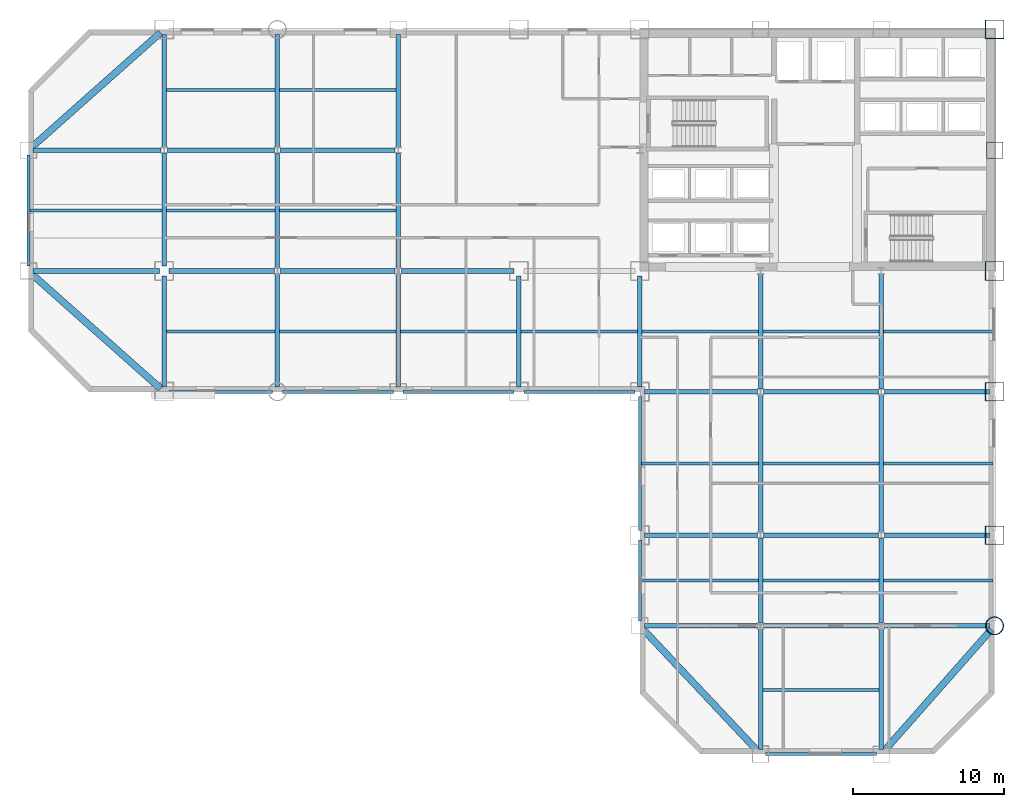
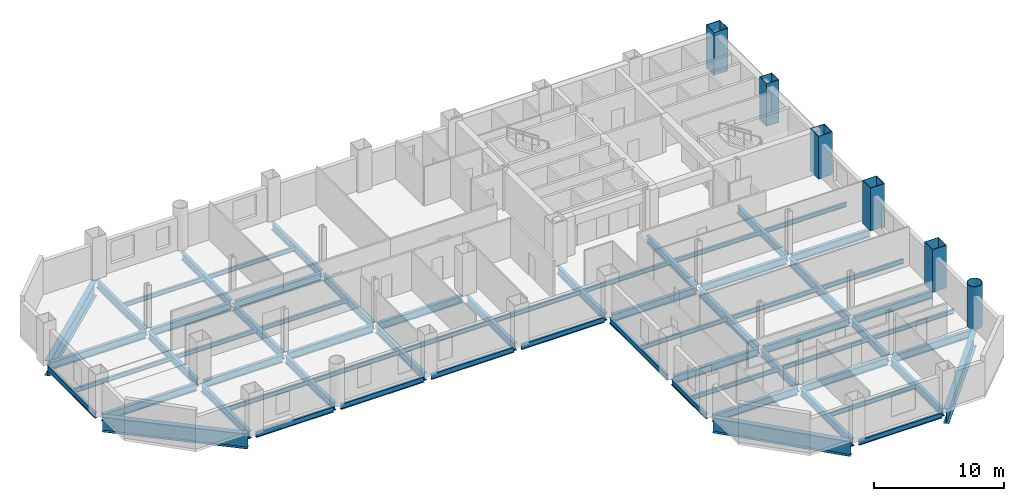
# One storey, part 3 of 9: 66 beams, 6 columns.
"""IFC4 building model written with IfcOpenShell, lengths in metres."""

from ifc_helpers import new_model, si_unit, direction, frame, origin, origin_2d, place, context, subcontext, project, spatial, hollow_rectangle, hollow_circle, i_section, extrude, material, material_profile, profile_set, type_object, element, save


model = new_model("IFC4")

# Units and contexts
model_context = context("Model", 3, precision=1e-05, world=origin(), true_north=direction((0.0, 1.0)))
body_context = subcontext(model_context, "Body", "Model", "MODEL_VIEW")
ifc_project = project(units=[si_unit("LENGTHUNIT", "METRE"), si_unit("AREAUNIT", "SQUARE_METRE"), si_unit("VOLUMEUNIT", "CUBIC_METRE"), si_unit("PLANEANGLEUNIT", "RADIAN"), si_unit("MASSUNIT", "GRAM", prefix="KILO")], contexts=[model_context])

# Site, building, storey
site_placement = place(None, origin())
site = spatial("IfcSite", under=ifc_project, at=site_placement, CompositionType="ELEMENT")
building_placement = place(site_placement, origin())
building = spatial("IfcBuilding", under=site, at=building_placement, Name="Qianrong Seaharbour Tower", CompositionType="ELEMENT")
storey_placement = place(building_placement, frame((0.0, 0.0, 104.199951171875)))
storey = spatial("IfcBuildingStorey", under=building, at=storey_placement, Name="L25", CompositionType="ELEMENT", Elevation=104.199951171875)

# Columns
ifc_material_1 = material(Name="Structural steel SN490B", Category="steel")
ifc_material_profile_1 = material_profile(ifc_material_1, hollow_rectangle(XDim=1.25, YDim=1.25, WallThickness=0.044921875, at=origin_2d()), Name="BOX1250x1250x45")
ifc_profile_set_1 = profile_set([ifc_material_profile_1], Name="Structural steel SN490B")
column_type_1 = type_object("IfcColumnType", Name="COL-CFT-1250", PredefinedType="COLUMN", material=ifc_profile_set_1)
for number, where, z_axis, x_axis, name in (
    (1, (64.0, 18.5, 0.0), (0.0, 0.0, 1.0), (1.0, 0.0, 0.0), "L25 Column MC-2 at G9/GD"),
    (2, (64.0, 28.0, 0.0), (0.0, 0.0, 1.0), (1.0, 0.0, 0.0), "L25 Column MC-2 at G9/GE"),
    (3, (64.0, 36.0, 0.0), (0.0, 0.0, 1.0), (1.0, 0.0, 0.0), "L25 Column MC-2 at G9/GF"),
    (4, (64.0, 52.0, 0.0), (0.0, 0.0, 1.0), (1.0, 0.0, 0.0), "L25 Column MC-2 at G9/GH"),
):
    element("IfcColumn", number, at=place(storey_placement, frame(where, z_axis=z_axis, x_axis=x_axis)), inside=storey, type_object=column_type_1, Name=name, PredefinedType="COLUMN", context=body_context, shape_type="SweptSolid", body=[
        extrude(hollow_rectangle(XDim=1.25, YDim=1.25, WallThickness=0.044921875, at=origin_2d()), origin(), (0.0, 0.0, 1.0), 4.0),
    ])
ifc_material_profile_2 = material_profile(ifc_material_1, hollow_circle(Radius=0.60009765625, WallThickness=0.0400390625, at=origin_2d()), Name="CHS1200x40")
ifc_profile_set_2 = profile_set([ifc_material_profile_2], Name="Structural steel SN490B")
column_type_2 = type_object("IfcColumnType", Name="COL-CHS-1200", PredefinedType="COLUMN", material=ifc_profile_set_2)
column_1_placement = place(storey_placement, frame((64.0, 12.5, 0.0), z_axis=(0.0, 0.0, 1.0), x_axis=(1.0, 0.0, 0.0)))
element("IfcColumn", 5, at=column_1_placement, inside=storey, type_object=column_type_2, Name="L25 Column CC-1 at G9/GC", PredefinedType="COLUMN", context=body_context, shape_type="SweptSolid", body=[
    extrude(hollow_circle(Radius=0.60009765625, WallThickness=0.0400390625, at=origin_2d()), origin(), (0.0, 0.0, 1.0), 4.0),
])
ifc_material_profile_3 = material_profile(ifc_material_1, hollow_rectangle(XDim=1.10009765625, YDim=1.10009765625, WallThickness=0.0400390625, at=origin_2d()), Name="BOX1100x1100x40")
ifc_profile_set_3 = profile_set([ifc_material_profile_3], Name="Structural steel SN490B")
column_type_3 = type_object("IfcColumnType", Name="COL-PER-1100", PredefinedType="COLUMN", material=ifc_profile_set_3)
column_2_placement = place(storey_placement, frame((64.0, 44.0, 0.0), z_axis=(0.0, 0.0, 1.0), x_axis=(1.0, 0.0, 0.0)))
element("IfcColumn", 6, at=column_2_placement, inside=storey, type_object=column_type_3, Name="L25 Column PC-1 at G9/GG", PredefinedType="COLUMN", context=body_context, shape_type="SweptSolid", body=[
    extrude(hollow_rectangle(XDim=1.10009765625, YDim=1.10009765625, WallThickness=0.0400390625, at=origin_2d()), origin(), (0.0, 0.0, 1.0), 4.0),
])

# Beams
ifc_material_profile_4 = material_profile(ifc_material_1, i_section(OverallWidth=0.300048828125, OverallDepth=0.699951171875, WebThickness=0.012939453125, FlangeThickness=0.02392578125, FilletRadius=0.02587890625, at=origin_2d()), Name="H700x300x13x24")
ifc_profile_set_4 = profile_set([ifc_material_profile_4], Name="Structural steel SN490B")
beam_type_1 = type_object("IfcBeamType", Name="BM-G-700", PredefinedType="BEAM", material=ifc_profile_set_4)
beam_1_placement = place(storey_placement, frame((40.820068359375, 12.5, -0.599853515625), z_axis=(1.0, 0.0, 0.0), x_axis=(0.0, 1.0, 0.0)))
element("IfcBeam", 7, at=beam_1_placement, inside=storey, type_object=beam_type_1, Name="L25 Primary Girder GC G6-G7", PredefinedType="BEAM", context=body_context, shape_type="SweptSolid", body=[
    extrude(i_section(OverallWidth=0.300048828125, OverallDepth=0.699951171875, WebThickness=0.012939453125, FlangeThickness=0.02392578125, FilletRadius=0.02587890625, at=origin_2d()), origin(), (0.0, 0.0, 1.0), 7.476318359375),
])
beam_2_placement = place(storey_placement, frame((48.70361328125, 12.5, -0.599853515625), z_axis=(1.0, 0.0, 0.0), x_axis=(0.0, 1.0, 0.0)))
element("IfcBeam", 8, at=beam_2_placement, inside=storey, type_object=beam_type_1, Name="L25 Primary Girder GC G7-G8", PredefinedType="BEAM", context=body_context, shape_type="SweptSolid", body=[
    extrude(i_section(OverallWidth=0.300048828125, OverallDepth=0.699951171875, WebThickness=0.012939453125, FlangeThickness=0.02392578125, FilletRadius=0.02587890625, at=origin_2d()), origin(), (0.0, 0.0, 1.0), 7.5927734375),
])
beam_3_placement = place(storey_placement, frame((56.70361328125, 12.5, -0.599853515625), z_axis=(1.0, 0.0, 0.0), x_axis=(0.0, 1.0, 0.0)))
element("IfcBeam", 9, at=beam_3_placement, inside=storey, type_object=beam_type_1, Name="L25 Primary Girder GC G8-G9", PredefinedType="BEAM", context=body_context, shape_type="SweptSolid", body=[
    extrude(i_section(OverallWidth=0.300048828125, OverallDepth=0.699951171875, WebThickness=0.012939453125, FlangeThickness=0.02392578125, FilletRadius=0.02587890625, at=origin_2d()), origin(), (0.0, 0.0, 1.0), 6.976318359375),
])
beam_4_placement = place(storey_placement, frame((40.820068359375, 18.5, -0.599853515625), z_axis=(1.0, 0.0, 0.0), x_axis=(0.0, 1.0, 0.0)))
element("IfcBeam", 10, at=beam_4_placement, inside=storey, type_object=beam_type_1, Name="L25 Primary Girder GD G6-G7", PredefinedType="BEAM", context=body_context, shape_type="SweptSolid", body=[
    extrude(i_section(OverallWidth=0.300048828125, OverallDepth=0.699951171875, WebThickness=0.012939453125, FlangeThickness=0.02392578125, FilletRadius=0.02587890625, at=origin_2d()), origin(), (0.0, 0.0, 1.0), 7.476318359375),
])
beam_5_placement = place(storey_placement, frame((48.70361328125, 18.5, -0.599853515625), z_axis=(1.0, 0.0, 0.0), x_axis=(0.0, 1.0, 0.0)))
element("IfcBeam", 11, at=beam_5_placement, inside=storey, type_object=beam_type_1, Name="L25 Primary Girder GD G7-G8", PredefinedType="BEAM", context=body_context, shape_type="SweptSolid", body=[
    extrude(i_section(OverallWidth=0.300048828125, OverallDepth=0.699951171875, WebThickness=0.012939453125, FlangeThickness=0.02392578125, FilletRadius=0.02587890625, at=origin_2d()), origin(), (0.0, 0.0, 1.0), 7.5927734375),
])
beam_6_placement = place(storey_placement, frame((56.70361328125, 18.5, -0.599853515625), z_axis=(1.0, 0.0, 0.0), x_axis=(0.0, 1.0, 0.0)))
element("IfcBeam", 12, at=beam_6_placement, inside=storey, type_object=beam_type_1, Name="L25 Primary Girder GD G8-G9", PredefinedType="BEAM", context=body_context, shape_type="SweptSolid", body=[
    extrude(i_section(OverallWidth=0.300048828125, OverallDepth=0.699951171875, WebThickness=0.012939453125, FlangeThickness=0.02392578125, FilletRadius=0.02587890625, at=origin_2d()), origin(), (0.0, 0.0, 1.0), 6.976318359375),
])
beam_7_placement = place(storey_placement, frame((40.820068359375, 28.0, -0.599853515625), z_axis=(1.0, 0.0, 0.0), x_axis=(0.0, 1.0, 0.0)))
element("IfcBeam", 13, at=beam_7_placement, inside=storey, type_object=beam_type_1, Name="L25 Primary Girder GE G6-G7", PredefinedType="BEAM", context=body_context, shape_type="SweptSolid", body=[
    extrude(i_section(OverallWidth=0.300048828125, OverallDepth=0.699951171875, WebThickness=0.012939453125, FlangeThickness=0.02392578125, FilletRadius=0.02587890625, at=origin_2d()), origin(), (0.0, 0.0, 1.0), 7.476318359375),
])
beam_8_placement = place(storey_placement, frame((48.70361328125, 28.0, -0.599853515625), z_axis=(1.0, 0.0, 0.0), x_axis=(0.0, 1.0, 0.0)))
element("IfcBeam", 14, at=beam_8_placement, inside=storey, type_object=beam_type_1, Name="L25 Primary Girder GE G7-G8", PredefinedType="BEAM", context=body_context, shape_type="SweptSolid", body=[
    extrude(i_section(OverallWidth=0.300048828125, OverallDepth=0.699951171875, WebThickness=0.012939453125, FlangeThickness=0.02392578125, FilletRadius=0.02587890625, at=origin_2d()), origin(), (0.0, 0.0, 1.0), 7.5927734375),
])
beam_9_placement = place(storey_placement, frame((56.70361328125, 28.0, -0.599853515625), z_axis=(1.0, 0.0, 0.0), x_axis=(0.0, 1.0, 0.0)))
element("IfcBeam", 15, at=beam_9_placement, inside=storey, type_object=beam_type_1, Name="L25 Primary Girder GE G8-G9", PredefinedType="BEAM", context=body_context, shape_type="SweptSolid", body=[
    extrude(i_section(OverallWidth=0.300048828125, OverallDepth=0.699951171875, WebThickness=0.012939453125, FlangeThickness=0.02392578125, FilletRadius=0.02587890625, at=origin_2d()), origin(), (0.0, 0.0, 1.0), 6.976318359375),
])
beam_10_placement = place(storey_placement, frame((0.320068359375, 36.0, -0.599853515625), z_axis=(1.0, 0.0, 0.0), x_axis=(0.0, 1.0, 0.0)))
element("IfcBeam", 16, at=beam_10_placement, inside=storey, type_object=beam_type_1, Name="L25 Primary Girder GF G1-G2", PredefinedType="BEAM", context=body_context, shape_type="SweptSolid", body=[
    extrude(i_section(OverallWidth=0.300048828125, OverallDepth=0.699951171875, WebThickness=0.012939453125, FlangeThickness=0.02392578125, FilletRadius=0.02587890625, at=origin_2d()), origin(), (0.0, 0.0, 1.0), 8.35986328125),
])
beam_11_placement = place(storey_placement, frame((9.320068359375, 36.0, -0.599853515625), z_axis=(1.0, 0.0, 0.0), x_axis=(0.0, 1.0, 0.0)))
element("IfcBeam", 17, at=beam_11_placement, inside=storey, type_object=beam_type_1, Name="L25 Primary Girder GF G2-G3", PredefinedType="BEAM", context=body_context, shape_type="SweptSolid", body=[
    extrude(i_section(OverallWidth=0.300048828125, OverallDepth=0.699951171875, WebThickness=0.012939453125, FlangeThickness=0.02392578125, FilletRadius=0.02587890625, at=origin_2d()), origin(), (0.0, 0.0, 1.0), 6.976318359375),
])
beam_12_placement = place(storey_placement, frame((16.70361328125, 36.0, -0.599853515625), z_axis=(1.0, 0.0, 0.0), x_axis=(0.0, 1.0, 0.0)))
element("IfcBeam", 18, at=beam_12_placement, inside=storey, type_object=beam_type_1, Name="L25 Primary Girder GF G3-G4", PredefinedType="BEAM", context=body_context, shape_type="SweptSolid", body=[
    extrude(i_section(OverallWidth=0.300048828125, OverallDepth=0.699951171875, WebThickness=0.012939453125, FlangeThickness=0.02392578125, FilletRadius=0.02587890625, at=origin_2d()), origin(), (0.0, 0.0, 1.0), 7.5927734375),
])
beam_13_placement = place(storey_placement, frame((24.70361328125, 36.0, -0.599853515625), z_axis=(1.0, 0.0, 0.0), x_axis=(0.0, 1.0, 0.0)))
element("IfcBeam", 19, at=beam_13_placement, inside=storey, type_object=beam_type_1, Name="L25 Primary Girder GF G4-G5", PredefinedType="BEAM", context=body_context, shape_type="SweptSolid", body=[
    extrude(i_section(OverallWidth=0.300048828125, OverallDepth=0.699951171875, WebThickness=0.012939453125, FlangeThickness=0.02392578125, FilletRadius=0.02587890625, at=origin_2d()), origin(), (0.0, 0.0, 1.0), 7.476318359375),
])
beam_14_placement = place(storey_placement, frame((0.320068359375, 44.0, -0.599853515625), z_axis=(1.0, 0.0, 0.0), x_axis=(0.0, 1.0, 0.0)))
element("IfcBeam", 20, at=beam_14_placement, inside=storey, type_object=beam_type_1, Name="L25 Primary Girder GG G1-G2", PredefinedType="BEAM", context=body_context, shape_type="SweptSolid", body=[
    extrude(i_section(OverallWidth=0.300048828125, OverallDepth=0.699951171875, WebThickness=0.012939453125, FlangeThickness=0.02392578125, FilletRadius=0.02587890625, at=origin_2d()), origin(), (0.0, 0.0, 1.0), 8.476318359375),
])
beam_15_placement = place(storey_placement, frame((9.20361328125, 44.0, -0.599853515625), z_axis=(1.0, 0.0, 0.0), x_axis=(0.0, 1.0, 0.0)))
element("IfcBeam", 21, at=beam_15_placement, inside=storey, type_object=beam_type_1, Name="L25 Primary Girder GG G2-G3", PredefinedType="BEAM", context=body_context, shape_type="SweptSolid", body=[
    extrude(i_section(OverallWidth=0.300048828125, OverallDepth=0.699951171875, WebThickness=0.012939453125, FlangeThickness=0.02392578125, FilletRadius=0.02587890625, at=origin_2d()), origin(), (0.0, 0.0, 1.0), 7.0927734375),
])
beam_16_placement = place(storey_placement, frame((16.70361328125, 44.0, -0.599853515625), z_axis=(1.0, 0.0, 0.0), x_axis=(0.0, 1.0, 0.0)))
element("IfcBeam", 22, at=beam_16_placement, inside=storey, type_object=beam_type_1, Name="L25 Primary Girder GG G3-G4", PredefinedType="BEAM", context=body_context, shape_type="SweptSolid", body=[
    extrude(i_section(OverallWidth=0.300048828125, OverallDepth=0.699951171875, WebThickness=0.012939453125, FlangeThickness=0.02392578125, FilletRadius=0.02587890625, at=origin_2d()), origin(), (0.0, 0.0, 1.0), 7.5927734375),
])
beam_17_placement = place(storey_placement, frame((9.0, 28.320068359375, -0.599853515625), z_axis=(0.0, 1.0, 0.0), x_axis=(-1.0, 0.0, 0.0)))
element("IfcBeam", 23, at=beam_17_placement, inside=storey, type_object=beam_type_1, Name="L25 Primary Girder G2 GE-GF", PredefinedType="BEAM", context=body_context, shape_type="SweptSolid", body=[
    extrude(i_section(OverallWidth=0.300048828125, OverallDepth=0.699951171875, WebThickness=0.012939453125, FlangeThickness=0.02392578125, FilletRadius=0.02587890625, at=origin_2d()), origin(), (0.0, 0.0, 1.0), 7.35986328125),
])
for number, where, z_axis, x_axis, name in (
    (24, (9.0, 36.320068359375, -0.599853515625), (0.0, 1.0, 0.0), (-1.0, 0.0, 0.0), "L25 Primary Girder G2 GF-GG"),
    (25, (9.0, 44.214111328125, -0.599853515625), (0.0, 1.0, 0.0), (-1.0, 0.0, 0.0), "L25 Primary Girder G2 GG-GH"),
    (26, (16.5, 28.320068359375, -0.599853515625), (0.0, 1.0, 0.0), (-1.0, 0.0, 0.0), "L25 Primary Girder G3 GE-GF"),
):
    element("IfcBeam", number, at=place(storey_placement, frame(where, z_axis=z_axis, x_axis=x_axis)), inside=storey, type_object=beam_type_1, Name=name, PredefinedType="BEAM", context=body_context, shape_type="SweptSolid", body=[
        extrude(i_section(OverallWidth=0.300048828125, OverallDepth=0.699951171875, WebThickness=0.012939453125, FlangeThickness=0.02392578125, FilletRadius=0.02587890625, at=origin_2d()), origin(), (0.0, 0.0, 1.0), 7.4658203125),
    ])
beam_18_placement = place(storey_placement, frame((16.5, 36.214111328125, -0.599853515625), z_axis=(0.0, 1.0, 0.0), x_axis=(-1.0, 0.0, 0.0)))
element("IfcBeam", 27, at=beam_18_placement, inside=storey, type_object=beam_type_1, Name="L25 Primary Girder G3 GF-GG", PredefinedType="BEAM", context=body_context, shape_type="SweptSolid", body=[
    extrude(i_section(OverallWidth=0.300048828125, OverallDepth=0.699951171875, WebThickness=0.012939453125, FlangeThickness=0.02392578125, FilletRadius=0.02587890625, at=origin_2d()), origin(), (0.0, 0.0, 1.0), 7.57177734375),
])
for number, where, z_axis, x_axis, name in (
    (28, (16.5, 44.214111328125, -0.599853515625), (0.0, 1.0, 0.0), (-1.0, 0.0, 0.0), "L25 Primary Girder G3 GG-GH"),
    (29, (24.5, 28.320068359375, -0.599853515625), (0.0, 1.0, 0.0), (-1.0, 0.0, 0.0), "L25 Primary Girder G4 GE-GF"),
):
    element("IfcBeam", number, at=place(storey_placement, frame(where, z_axis=z_axis, x_axis=x_axis)), inside=storey, type_object=beam_type_1, Name=name, PredefinedType="BEAM", context=body_context, shape_type="SweptSolid", body=[
        extrude(i_section(OverallWidth=0.300048828125, OverallDepth=0.699951171875, WebThickness=0.012939453125, FlangeThickness=0.02392578125, FilletRadius=0.02587890625, at=origin_2d()), origin(), (0.0, 0.0, 1.0), 7.4658203125),
    ])
beam_19_placement = place(storey_placement, frame((24.5, 36.214111328125, -0.599853515625), z_axis=(0.0, 1.0, 0.0), x_axis=(-1.0, 0.0, 0.0)))
element("IfcBeam", 30, at=beam_19_placement, inside=storey, type_object=beam_type_1, Name="L25 Primary Girder G4 GF-GG", PredefinedType="BEAM", context=body_context, shape_type="SweptSolid", body=[
    extrude(i_section(OverallWidth=0.300048828125, OverallDepth=0.699951171875, WebThickness=0.012939453125, FlangeThickness=0.02392578125, FilletRadius=0.02587890625, at=origin_2d()), origin(), (0.0, 0.0, 1.0), 7.57177734375),
])
beam_20_placement = place(storey_placement, frame((24.5, 44.214111328125, -0.599853515625), z_axis=(0.0, 1.0, 0.0), x_axis=(-1.0, 0.0, 0.0)))
element("IfcBeam", 31, at=beam_20_placement, inside=storey, type_object=beam_type_1, Name="L25 Primary Girder G4 GG-GH", PredefinedType="BEAM", context=body_context, shape_type="SweptSolid", body=[
    extrude(i_section(OverallWidth=0.300048828125, OverallDepth=0.699951171875, WebThickness=0.012939453125, FlangeThickness=0.02392578125, FilletRadius=0.02587890625, at=origin_2d()), origin(), (0.0, 0.0, 1.0), 7.4658203125),
])
for number, where, z_axis, x_axis, name in (
    (32, (32.5, 28.320068359375, -0.599853515625), (0.0, 1.0, 0.0), (-1.0, 0.0, 0.0), "L25 Primary Girder G5 GE-GF"),
    (33, (40.5, 28.320068359375, -0.599853515625), (0.0, 1.0, 0.0), (-1.0, 0.0, 0.0), "L25 Primary Girder G6 GE-GF"),
):
    element("IfcBeam", number, at=place(storey_placement, frame(where, z_axis=z_axis, x_axis=x_axis)), inside=storey, type_object=beam_type_1, Name=name, PredefinedType="BEAM", context=body_context, shape_type="SweptSolid", body=[
        extrude(i_section(OverallWidth=0.300048828125, OverallDepth=0.699951171875, WebThickness=0.012939453125, FlangeThickness=0.02392578125, FilletRadius=0.02587890625, at=origin_2d()), origin(), (0.0, 0.0, 1.0), 7.35986328125),
    ])
beam_21_placement = place(storey_placement, frame((48.5, 4.320068359375, -0.599853515625), z_axis=(0.0, 1.0, 0.0), x_axis=(-1.0, 0.0, 0.0)))
element("IfcBeam", 34, at=beam_21_placement, inside=storey, type_object=beam_type_1, Name="L25 Primary Girder G7 GB-GC", PredefinedType="BEAM", context=body_context, shape_type="SweptSolid", body=[
    extrude(i_section(OverallWidth=0.300048828125, OverallDepth=0.699951171875, WebThickness=0.012939453125, FlangeThickness=0.02392578125, FilletRadius=0.02587890625, at=origin_2d()), origin(), (0.0, 0.0, 1.0), 7.9658203125),
])
beam_22_placement = place(storey_placement, frame((48.5, 12.714111328125, -0.599853515625), z_axis=(0.0, 1.0, 0.0), x_axis=(-1.0, 0.0, 0.0)))
element("IfcBeam", 35, at=beam_22_placement, inside=storey, type_object=beam_type_1, Name="L25 Primary Girder G7 GC-GD", PredefinedType="BEAM", context=body_context, shape_type="SweptSolid", body=[
    extrude(i_section(OverallWidth=0.300048828125, OverallDepth=0.699951171875, WebThickness=0.012939453125, FlangeThickness=0.02392578125, FilletRadius=0.02587890625, at=origin_2d()), origin(), (0.0, 0.0, 1.0), 5.57177734375),
])
beam_23_placement = place(storey_placement, frame((48.5, 28.214111328125, -0.599853515625), z_axis=(0.0, 1.0, 0.0), x_axis=(-1.0, 0.0, 0.0)))
element("IfcBeam", 36, at=beam_23_placement, inside=storey, type_object=beam_type_1, Name="L25 Primary Girder G7 GE-GF", PredefinedType="BEAM", context=body_context, shape_type="SweptSolid", body=[
    extrude(i_section(OverallWidth=0.300048828125, OverallDepth=0.699951171875, WebThickness=0.012939453125, FlangeThickness=0.02392578125, FilletRadius=0.02587890625, at=origin_2d()), origin(), (0.0, 0.0, 1.0), 7.57177734375),
])
beam_24_placement = place(storey_placement, frame((56.5, 4.320068359375, -0.599853515625), z_axis=(0.0, 1.0, 0.0), x_axis=(-1.0, 0.0, 0.0)))
element("IfcBeam", 37, at=beam_24_placement, inside=storey, type_object=beam_type_1, Name="L25 Primary Girder G8 GB-GC", PredefinedType="BEAM", context=body_context, shape_type="SweptSolid", body=[
    extrude(i_section(OverallWidth=0.300048828125, OverallDepth=0.699951171875, WebThickness=0.012939453125, FlangeThickness=0.02392578125, FilletRadius=0.02587890625, at=origin_2d()), origin(), (0.0, 0.0, 1.0), 7.9658203125),
])
beam_25_placement = place(storey_placement, frame((56.5, 12.714111328125, -0.599853515625), z_axis=(0.0, 1.0, 0.0), x_axis=(-1.0, 0.0, 0.0)))
element("IfcBeam", 38, at=beam_25_placement, inside=storey, type_object=beam_type_1, Name="L25 Primary Girder G8 GC-GD", PredefinedType="BEAM", context=body_context, shape_type="SweptSolid", body=[
    extrude(i_section(OverallWidth=0.300048828125, OverallDepth=0.699951171875, WebThickness=0.012939453125, FlangeThickness=0.02392578125, FilletRadius=0.02587890625, at=origin_2d()), origin(), (0.0, 0.0, 1.0), 5.57177734375),
])
beam_26_placement = place(storey_placement, frame((56.5, 28.214111328125, -0.599853515625), z_axis=(0.0, 1.0, 0.0), x_axis=(-1.0, 0.0, 0.0)))
element("IfcBeam", 39, at=beam_26_placement, inside=storey, type_object=beam_type_1, Name="L25 Primary Girder G8 GE-GF", PredefinedType="BEAM", context=body_context, shape_type="SweptSolid", body=[
    extrude(i_section(OverallWidth=0.300048828125, OverallDepth=0.699951171875, WebThickness=0.012939453125, FlangeThickness=0.02392578125, FilletRadius=0.02587890625, at=origin_2d()), origin(), (0.0, 0.0, 1.0), 7.57177734375),
])
ifc_material_profile_5 = material_profile(ifc_material_1, i_section(OverallWidth=0.300048828125, OverallDepth=0.800048828125, WebThickness=0.013916015625, FlangeThickness=0.02587890625, FilletRadius=0.028076171875, at=origin_2d()), Name="H800x300x14x26")
ifc_profile_set_5 = profile_set([ifc_material_profile_5], Name="Structural steel SN490B")
beam_type_2 = type_object("IfcBeamType", Name="BM-G-800", PredefinedType="BEAM", material=ifc_profile_set_5)
for number, where, z_axis, x_axis, name in (
    (40, (48.5, 18.714111328125, -0.64990234375), (0.0, 1.0, 0.0), (-1.0, 0.0, 0.0), "L25 Primary Girder G7 GD-GE"),
    (41, (56.5, 18.714111328125, -0.64990234375), (0.0, 1.0, 0.0), (-1.0, 0.0, 0.0), "L25 Primary Girder G8 GD-GE"),
):
    element("IfcBeam", number, at=place(storey_placement, frame(where, z_axis=z_axis, x_axis=x_axis)), inside=storey, type_object=beam_type_2, Name=name, PredefinedType="BEAM", context=body_context, shape_type="SweptSolid", body=[
        extrude(i_section(OverallWidth=0.300048828125, OverallDepth=0.800048828125, WebThickness=0.013916015625, FlangeThickness=0.02587890625, FilletRadius=0.028076171875, at=origin_2d()), origin(), (0.0, 0.0, 1.0), 9.07177734375),
    ])
ifc_material_2 = material(Name="Structural steel SN400B", Category="steel")
ifc_material_profile_6 = material_profile(ifc_material_2, i_section(OverallWidth=0.199951171875, OverallDepth=0.39990234375, WebThickness=0.008056640625, FlangeThickness=0.012939453125, FilletRadius=0.01611328125, at=origin_2d()), Name="H400x200x8x13")
ifc_profile_set_6 = profile_set([ifc_material_profile_6], Name="Structural steel SN400B")
beam_type_3 = type_object("IfcBeamType", Name="BM-J-400", PredefinedType="JOIST", material=ifc_profile_set_6)
beam_27_placement = place(storey_placement, frame((0.10009765625, 40.0, -0.449951171875), z_axis=(1.0, 0.0, 0.0), x_axis=(0.0, 1.0, 0.0)))
element("IfcBeam", 42, at=beam_27_placement, inside=storey, type_object=beam_type_3, Name="L25 Composite Floor Joist G1-G2/GF-GG", PredefinedType="JOIST", context=body_context, shape_type="SweptSolid", body=[
    extrude(i_section(OverallWidth=0.199951171875, OverallDepth=0.39990234375, WebThickness=0.008056640625, FlangeThickness=0.012939453125, FilletRadius=0.01611328125, at=origin_2d()), origin(), (0.0, 0.0, 1.0), 8.75),
])
for number, where, z_axis, x_axis, name in (
    (43, (9.14990234375, 32.0, -0.449951171875), (1.0, 0.0, 0.0), (0.0, 1.0, 0.0), "L25 Composite Floor Joist G2-G3/GE-GF"),
    (44, (9.14990234375, 40.0, -0.449951171875), (1.0, 0.0, 0.0), (0.0, 1.0, 0.0), "L25 Composite Floor Joist G2-G3/GF-GG"),
    (45, (9.14990234375, 48.0, -0.449951171875), (1.0, 0.0, 0.0), (0.0, 1.0, 0.0), "L25 Composite Floor Joist G2-G3/GG-GH"),
):
    element("IfcBeam", number, at=place(storey_placement, frame(where, z_axis=z_axis, x_axis=x_axis)), inside=storey, type_object=beam_type_3, Name=name, PredefinedType="JOIST", context=body_context, shape_type="SweptSolid", body=[
        extrude(i_section(OverallWidth=0.199951171875, OverallDepth=0.39990234375, WebThickness=0.008056640625, FlangeThickness=0.012939453125, FilletRadius=0.01611328125, at=origin_2d()), origin(), (0.0, 0.0, 1.0), 7.2001953125),
    ])
for number, where, z_axis, x_axis, name in (
    (46, (16.64990234375, 32.0, -0.449951171875), (1.0, 0.0, 0.0), (0.0, 1.0, 0.0), "L25 Composite Floor Joist G3-G4/GE-GF"),
    (47, (16.64990234375, 40.0, -0.449951171875), (1.0, 0.0, 0.0), (0.0, 1.0, 0.0), "L25 Composite Floor Joist G3-G4/GF-GG"),
    (48, (16.64990234375, 48.0, -0.449951171875), (1.0, 0.0, 0.0), (0.0, 1.0, 0.0), "L25 Composite Floor Joist G3-G4/GG-GH"),
    (49, (24.64990234375, 32.0, -0.449951171875), (1.0, 0.0, 0.0), (0.0, 1.0, 0.0), "L25 Composite Floor Joist G4-G5/GE-GF"),
    (50, (32.64990234375, 32.0, -0.449951171875), (1.0, 0.0, 0.0), (0.0, 1.0, 0.0), "L25 Composite Floor Joist G5-G6/GE-GF"),
):
    element("IfcBeam", number, at=place(storey_placement, frame(where, z_axis=z_axis, x_axis=x_axis)), inside=storey, type_object=beam_type_3, Name=name, PredefinedType="JOIST", context=body_context, shape_type="SweptSolid", body=[
        extrude(i_section(OverallWidth=0.199951171875, OverallDepth=0.39990234375, WebThickness=0.008056640625, FlangeThickness=0.012939453125, FilletRadius=0.01611328125, at=origin_2d()), origin(), (0.0, 0.0, 1.0), 7.7001953125),
    ])
for number, where, z_axis, x_axis, name in (
    (51, (40.60009765625, 15.5, -0.449951171875), (1.0, 0.0, 0.0), (0.0, 1.0, 0.0), "L25 Composite Floor Joist G6-G7/GC-GD"),
    (52, (40.60009765625, 23.25, -0.449951171875), (1.0, 0.0, 0.0), (0.0, 1.0, 0.0), "L25 Composite Floor Joist G6-G7/GD-GE"),
):
    element("IfcBeam", number, at=place(storey_placement, frame(where, z_axis=z_axis, x_axis=x_axis)), inside=storey, type_object=beam_type_3, Name=name, PredefinedType="JOIST", context=body_context, shape_type="SweptSolid", body=[
        extrude(i_section(OverallWidth=0.199951171875, OverallDepth=0.39990234375, WebThickness=0.008056640625, FlangeThickness=0.012939453125, FilletRadius=0.01611328125, at=origin_2d()), origin(), (0.0, 0.0, 1.0), 7.75),
    ])
for number, where, z_axis, x_axis, name in (
    (53, (40.64990234375, 32.0, -0.449951171875), (1.0, 0.0, 0.0), (0.0, 1.0, 0.0), "L25 Composite Floor Joist G6-G7/GE-GF"),
    (54, (48.64990234375, 8.25, -0.449951171875), (1.0, 0.0, 0.0), (0.0, 1.0, 0.0), "L25 Composite Floor Joist G7-G8/GB-GC"),
    (55, (48.64990234375, 15.5, -0.449951171875), (1.0, 0.0, 0.0), (0.0, 1.0, 0.0), "L25 Composite Floor Joist G7-G8/GC-GD"),
    (56, (48.64990234375, 23.25, -0.449951171875), (1.0, 0.0, 0.0), (0.0, 1.0, 0.0), "L25 Composite Floor Joist G7-G8/GD-GE"),
    (57, (48.64990234375, 32.0, -0.449951171875), (1.0, 0.0, 0.0), (0.0, 1.0, 0.0), "L25 Composite Floor Joist G7-G8/GE-GF"),
):
    element("IfcBeam", number, at=place(storey_placement, frame(where, z_axis=z_axis, x_axis=x_axis)), inside=storey, type_object=beam_type_3, Name=name, PredefinedType="JOIST", context=body_context, shape_type="SweptSolid", body=[
        extrude(i_section(OverallWidth=0.199951171875, OverallDepth=0.39990234375, WebThickness=0.008056640625, FlangeThickness=0.012939453125, FilletRadius=0.01611328125, at=origin_2d()), origin(), (0.0, 0.0, 1.0), 7.7001953125),
    ])
for number, where, z_axis, x_axis, name in (
    (58, (56.64990234375, 15.5, -0.449951171875), (1.0, 0.0, 0.0), (0.0, 1.0, 0.0), "L25 Composite Floor Joist G8-G9/GC-GD"),
    (59, (56.64990234375, 23.25, -0.449951171875), (1.0, 0.0, 0.0), (0.0, 1.0, 0.0), "L25 Composite Floor Joist G8-G9/GD-GE"),
    (60, (56.64990234375, 32.0, -0.449951171875), (1.0, 0.0, 0.0), (0.0, 1.0, 0.0), "L25 Composite Floor Joist G8-G9/GE-GF"),
):
    element("IfcBeam", number, at=place(storey_placement, frame(where, z_axis=z_axis, x_axis=x_axis)), inside=storey, type_object=beam_type_3, Name=name, PredefinedType="JOIST", context=body_context, shape_type="SweptSolid", body=[
        extrude(i_section(OverallWidth=0.199951171875, OverallDepth=0.39990234375, WebThickness=0.008056640625, FlangeThickness=0.012939453125, FilletRadius=0.01611328125, at=origin_2d()), origin(), (0.0, 0.0, 1.0), 7.25),
    ])
ifc_material_profile_7 = material_profile(ifc_material_1, i_section(OverallWidth=0.199951171875, OverallDepth=0.5, WebThickness=0.010009765625, FlangeThickness=0.01611328125, FilletRadius=0.02001953125, at=origin_2d()), Name="H500x200x10x16")
ifc_profile_set_7 = profile_set([ifc_material_profile_7], Name="Structural steel SN490B")
beam_type_4 = type_object("IfcBeamType", Name="BM-SP-500", PredefinedType="SPANDREL", material=ifc_profile_set_7)
beam_28_placement = place(storey_placement, frame((48.820068359375, 4.0, -0.5), z_axis=(1.0, 0.0, 0.0), x_axis=(0.0, 1.0, 0.0)))
element("IfcBeam", 61, at=beam_28_placement, inside=storey, type_object=beam_type_4, Name="L25 Spandrel Girder GB G7-G8", PredefinedType="SPANDREL", context=body_context, shape_type="SweptSolid", body=[
    extrude(i_section(OverallWidth=0.199951171875, OverallDepth=0.5, WebThickness=0.010009765625, FlangeThickness=0.01611328125, FilletRadius=0.02001953125, at=origin_2d()), origin(), (0.0, 0.0, 1.0), 7.35986328125),
])
beam_29_placement = place(storey_placement, frame((9.320068359375, 28.0, -0.5), z_axis=(1.0, 0.0, 0.0), x_axis=(0.0, 1.0, 0.0)))
element("IfcBeam", 62, at=beam_29_placement, inside=storey, type_object=beam_type_4, Name="L25 Spandrel Girder GE G2-G3", PredefinedType="SPANDREL", context=body_context, shape_type="SweptSolid", body=[
    extrude(i_section(OverallWidth=0.199951171875, OverallDepth=0.5, WebThickness=0.010009765625, FlangeThickness=0.01611328125, FilletRadius=0.02001953125, at=origin_2d()), origin(), (0.0, 0.0, 1.0), 6.85986328125),
])
for number, where, z_axis, x_axis, name in (
    (63, (16.820068359375, 28.0, -0.5), (1.0, 0.0, 0.0), (0.0, 1.0, 0.0), "L25 Spandrel Girder GE G3-G4"),
    (64, (24.820068359375, 28.0, -0.5), (1.0, 0.0, 0.0), (0.0, 1.0, 0.0), "L25 Spandrel Girder GE G4-G5"),
    (65, (32.820068359375, 28.0, -0.5), (1.0, 0.0, 0.0), (0.0, 1.0, 0.0), "L25 Spandrel Girder GE G5-G6"),
    (66, (0.0, 36.320068359375, -0.5), (0.0, 1.0, 0.0), (-1.0, 0.0, 0.0), "L25 Spandrel Girder G1 GF-GG"),
):
    element("IfcBeam", number, at=place(storey_placement, frame(where, z_axis=z_axis, x_axis=x_axis)), inside=storey, type_object=beam_type_4, Name=name, PredefinedType="SPANDREL", context=body_context, shape_type="SweptSolid", body=[
        extrude(i_section(OverallWidth=0.199951171875, OverallDepth=0.5, WebThickness=0.010009765625, FlangeThickness=0.01611328125, FilletRadius=0.02001953125, at=origin_2d()), origin(), (0.0, 0.0, 1.0), 7.35986328125),
    ])
beam_30_placement = place(storey_placement, frame((40.5, 12.820068359375, -0.5), z_axis=(0.0, 1.0, 0.0), x_axis=(-1.0, 0.0, 0.0)))
element("IfcBeam", 67, at=beam_30_placement, inside=storey, type_object=beam_type_4, Name="L25 Spandrel Girder G6 GC-GD", PredefinedType="SPANDREL", context=body_context, shape_type="SweptSolid", body=[
    extrude(i_section(OverallWidth=0.199951171875, OverallDepth=0.5, WebThickness=0.010009765625, FlangeThickness=0.01611328125, FilletRadius=0.02001953125, at=origin_2d()), origin(), (0.0, 0.0, 1.0), 5.35986328125),
])
beam_31_placement = place(storey_placement, frame((40.5, 18.820068359375, -0.5), z_axis=(0.0, 1.0, 0.0), x_axis=(-1.0, 0.0, 0.0)))
element("IfcBeam", 68, at=beam_31_placement, inside=storey, type_object=beam_type_4, Name="L25 Spandrel Girder G6 GD-GE", PredefinedType="SPANDREL", context=body_context, shape_type="SweptSolid", body=[
    extrude(i_section(OverallWidth=0.199951171875, OverallDepth=0.5, WebThickness=0.010009765625, FlangeThickness=0.01611328125, FilletRadius=0.02001953125, at=origin_2d()), origin(), (0.0, 0.0, 1.0), 8.85986328125),
])
ifc_material_profile_8 = material_profile(ifc_material_1, i_section(OverallWidth=0.449951171875, OverallDepth=1.39990234375, WebThickness=0.02197265625, FlangeThickness=0.0400390625, at=origin_2d()), Name="BH1400x450x22x40")
ifc_profile_set_8 = profile_set([ifc_material_profile_8], Name="Structural steel SN490B")
beam_type_5 = type_object("IfcBeamType", Name="BM-TG-1400", PredefinedType="BEAM", material=ifc_profile_set_8)
for number, where, z_axis, x_axis, name in (
    (69, (8.7607421875, 28.212646484375, -0.949951171875), (-0.747406955841, 0.664366497018, 0.0), (-0.664366497018, -0.747406955841, 0.0), "L25 Chamfer Corner Spandrel Girder G1/GE"),
    (70, (8.7607421875, 51.787353515625, -0.949951171875), (-0.747406955841, -0.664366497018, 0.0), (0.664366497018, -0.747406955841, 0.0), "L25 Chamfer Corner Spandrel Girder G1/GH"),
):
    element("IfcBeam", number, at=place(storey_placement, frame(where, z_axis=z_axis, x_axis=x_axis)), inside=storey, type_object=beam_type_5, Name=name, PredefinedType="BEAM", context=body_context, shape_type="SweptSolid", body=[
        extrude(i_section(OverallWidth=0.449951171875, OverallDepth=1.39990234375, WebThickness=0.02197265625, FlangeThickness=0.0400390625, at=origin_2d()), origin(), (0.0, 0.0, 1.0), 11.4013671875),
    ])
beam_32_placement = place(storey_placement, frame((48.28076171875, 4.23291015625, -0.949951171875), z_axis=(-0.685361938021, 0.728202591256, 0.0), x_axis=(-0.728202591256, -0.685361938021, 0.0)))
element("IfcBeam", 71, at=beam_32_placement, inside=storey, type_object=beam_type_5, Name="L25 Chamfer Corner Spandrel Girder G6/GB", PredefinedType="BEAM", context=body_context, shape_type="SweptSolid", body=[
    extrude(i_section(OverallWidth=0.449951171875, OverallDepth=1.39990234375, WebThickness=0.02197265625, FlangeThickness=0.0400390625, at=origin_2d()), origin(), (0.0, 0.0, 1.0), 11.032958984375),
])
beam_33_placement = place(storey_placement, frame((56.711669921875, 4.239990234375, -0.949951171875), z_axis=(0.661630696334, 0.749829861815, 0.0), x_axis=(-0.749829861815, 0.661630696334, 0.0)))
element("IfcBeam", 72, at=beam_33_placement, inside=storey, type_object=beam_type_5, Name="L25 Chamfer Corner Spandrel Girder G9/GB", PredefinedType="BEAM", context=body_context, shape_type="SweptSolid", body=[
    extrude(i_section(OverallWidth=0.449951171875, OverallDepth=1.39990234375, WebThickness=0.02197265625, FlangeThickness=0.0400390625, at=origin_2d()), origin(), (0.0, 0.0, 1.0), 10.69580078125),
])

save(model, "model.ifc")
